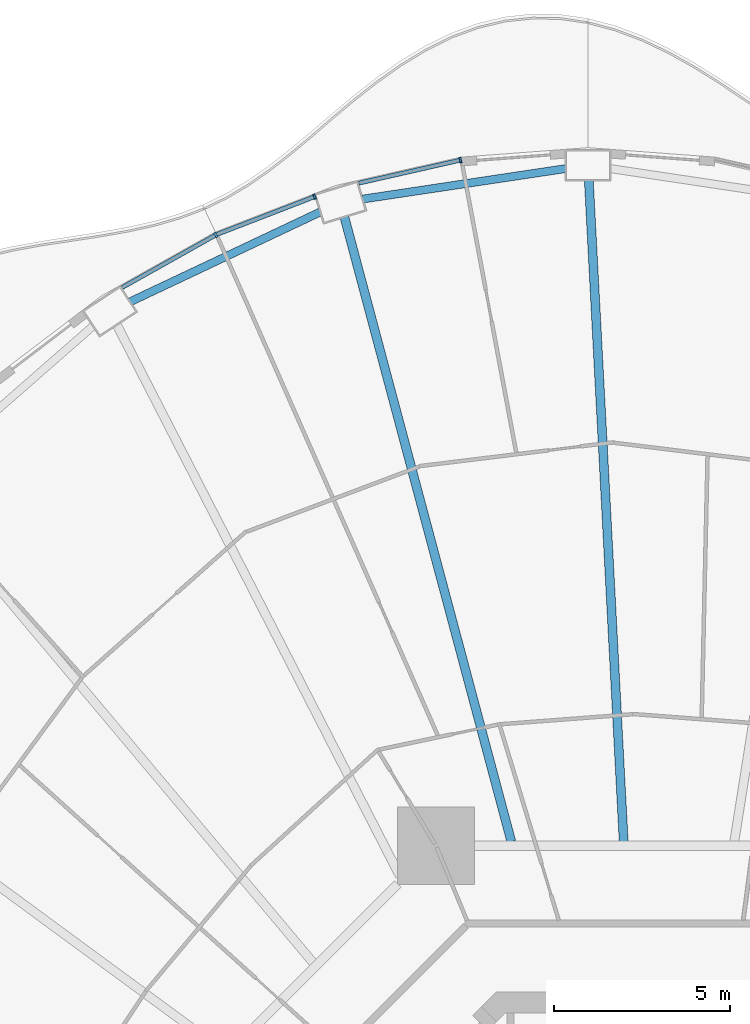
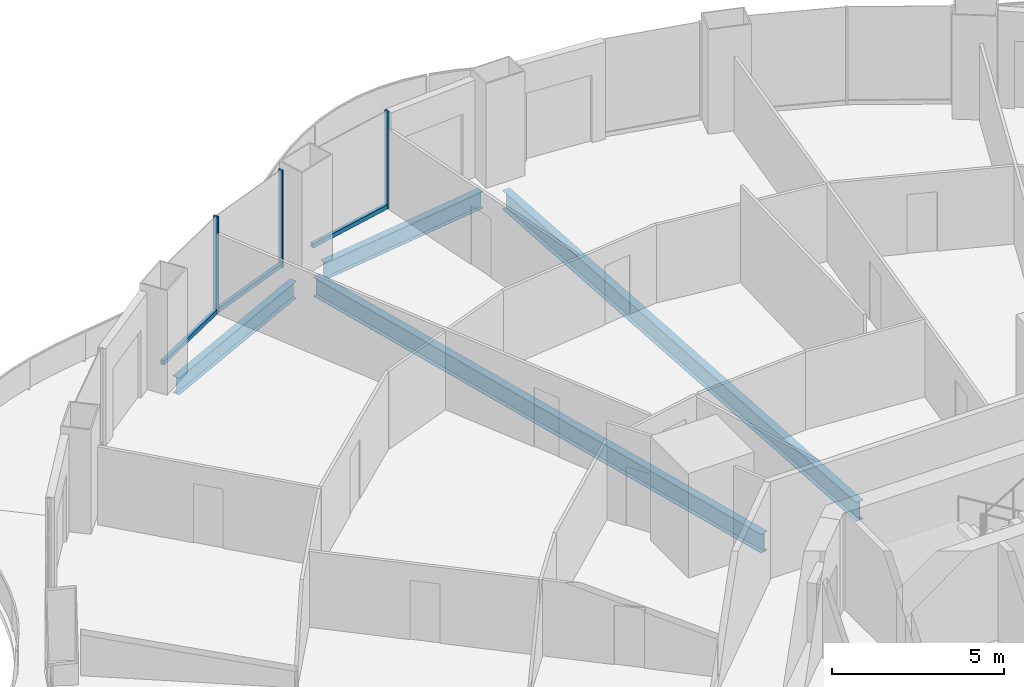
# One storey, part 9 of 22: 6 members, 4 beams, 3 elements without a shape of their own.
"""IFC4 building model written with IfcOpenShell, lengths in metres."""

from ifc_helpers import new_model, si_unit, direction, frame, origin, origin_2d, place, context, subcontext, project, spatial, rectangle, i_section, extrude, material, layer, layer_set, material_profile, profile_set, type_object, element, aggregate, save


model = new_model("IFC4")

# Units and contexts
model_context = context("Model", 3, precision=1e-05, world=origin(), true_north=direction((0.0, 1.0)))
body_context = subcontext(model_context, "Body", "Model", "MODEL_VIEW")
ifc_project = project(units=[si_unit("LENGTHUNIT", "METRE"), si_unit("AREAUNIT", "SQUARE_METRE"), si_unit("VOLUMEUNIT", "CUBIC_METRE"), si_unit("PLANEANGLEUNIT", "RADIAN"), si_unit("MASSUNIT", "GRAM", prefix="KILO")], contexts=[model_context])

# Site, building, storey
site_placement = place(None, origin())
site = spatial("IfcSite", under=ifc_project, at=site_placement, CompositionType="ELEMENT")
building_placement = place(site_placement, origin())
building = spatial("IfcBuilding", under=site, at=building_placement, Name="Nagisa Residences", CompositionType="ELEMENT")
storey_placement = place(building_placement, frame((0.0, 0.0, 80.699951171875)))
storey = spatial("IfcBuildingStorey", under=building, at=storey_placement, Name="L19", CompositionType="ELEMENT", Elevation=80.699951171875)

# Curtain wall, member
ifc_material_1 = material(Name="Concrete-coloured aluminium curtain wall system", Category="concrete")
ifc_layer = layer(ifc_material_1, 0.159912109375)
ifc_layer_set = layer_set([ifc_layer], Name="CW1 CURTAIN WALL")
curtain_wall_type = type_object("IfcCurtainWallType", Name="CW1 CURTAIN WALL", PredefinedType="NOTDEFINED", material=ifc_layer_set)
curtain_wall_1_placement = place(storey_placement, origin())
curtain_wall_1 = element("IfcCurtainWall", 1, at=curtain_wall_1_placement, inside=storey, type_object=curtain_wall_type, Name="cw:CW1:L19:13", PredefinedType="NOTDEFINED")
ifc_material_2 = material(Name="Concrete-coloured aluminium", Category="concrete")
ifc_material_profile_1 = material_profile(ifc_material_2, rectangle(XDim=0.159912109375, YDim=0.06005859375, at=origin_2d()), Name="CW1 MULLION 160x60")
ifc_profile_set_1 = profile_set([ifc_material_profile_1], Name="Concrete-coloured aluminium")
member_type_1 = type_object("IfcMemberType", Name="CW1 MULLION 160x60", PredefinedType="MULLION", material=ifc_profile_set_1)
member_1_placement = place(storey_placement, frame((-5.426513671875, 34.2783203125, 0.0), z_axis=(0.0, 0.0, 1.0), x_axis=(0.2207639201, -0.975327274089, 0.0)))
member_1 = element("IfcMember", 2, at=member_1_placement, type_object=member_type_1, Name="CW1 mullion", PredefinedType="MULLION", context=body_context, shape_type="SweptSolid", body=[
    extrude(rectangle(XDim=0.159912109375, YDim=0.06005859375, at=origin_2d()), origin(), (0.0, 0.0, 1.0), 3.43994140625),
])

curtain_wall_2_placement = place(storey_placement, origin())
curtain_wall_2 = element("IfcCurtainWall", 3, at=curtain_wall_2_placement, inside=storey, type_object=curtain_wall_type, Name="cw:CW1:L19:14", PredefinedType="NOTDEFINED")
member_2_placement = place(storey_placement, frame((-9.573486328125, 33.2392578125, 0.0), z_axis=(0.0, 0.0, 1.0), x_axis=(0.360327770268, -0.932825759707, 0.0)))
member_2 = element("IfcMember", 4, at=member_2_placement, type_object=member_type_1, Name="CW1 mullion", PredefinedType="MULLION", context=body_context, shape_type="SweptSolid", body=[
    extrude(rectangle(XDim=0.159912109375, YDim=0.06005859375, at=origin_2d()), origin(), (0.0, 0.0, 1.0), 3.43994140625),
])

curtain_wall_3_placement = place(storey_placement, origin())
curtain_wall_3 = element("IfcCurtainWall", 5, at=curtain_wall_3_placement, inside=storey, type_object=curtain_wall_type, Name="cw:CW1:L19:15", PredefinedType="NOTDEFINED")
member_3_placement = place(storey_placement, frame((-12.385498046875, 32.1494140625, 0.0), z_axis=(0.0, 0.0, 1.0), x_axis=(0.489376918501, -0.872072377523, 0.0)))
member_3 = element("IfcMember", 6, at=member_3_placement, type_object=member_type_1, Name="CW1 mullion", PredefinedType="MULLION", context=body_context, shape_type="SweptSolid", body=[
    extrude(rectangle(XDim=0.159912109375, YDim=0.06005859375, at=origin_2d()), origin(), (0.0, 0.0, 1.0), 3.43994140625),
])

# Member
ifc_material_3 = material(Name="Concrete-coloured aluminium", Category="concrete")
ifc_material_profile_2 = material_profile(ifc_material_3, rectangle(XDim=0.1201171875, YDim=0.14990234375, at=origin_2d()), Name="CW1 TRANSOM 120x150")
ifc_profile_set_2 = profile_set([ifc_material_profile_2], Name="Concrete-coloured aluminium")
member_type_2 = type_object("IfcMemberType", Name="CW1 TRANSOM 120x150", PredefinedType="USERDEFINED", material=ifc_profile_set_2)
member_4_placement = place(storey_placement, frame((-5.397216796875, 34.28515625, 0.074951171875), z_axis=(-0.975317607872, -0.220806620767, 0.0), x_axis=(0.220806620767, -0.975317607872, 0.0)))
member_4 = element("IfcMember", 7, at=member_4_placement, type_object=member_type_2, Name="CW1 transom", ObjectType="TRANSOM", PredefinedType="USERDEFINED", context=body_context, shape_type="SweptSolid", body=[
    extrude(rectangle(XDim=0.1201171875, YDim=0.14990234375, at=origin_2d()), origin(), (0.0, 0.0, 1.0), 2.9931640625),
])

aggregate(curtain_wall_1, [member_1, member_4])

member_5_placement = place(storey_placement, frame((-9.54541015625, 33.25, 0.074951171875), z_axis=(-0.932837560624, -0.360297218263, 0.0), x_axis=(0.360297218263, -0.932837560624, 0.0)))
member_5 = element("IfcMember", 8, at=member_5_placement, type_object=member_type_2, Name="CW1 transom", ObjectType="TRANSOM", PredefinedType="USERDEFINED", context=body_context, shape_type="SweptSolid", body=[
    extrude(rectangle(XDim=0.1201171875, YDim=0.14990234375, at=origin_2d()), origin(), (0.0, 0.0, 1.0), 3.027587890625),
])

aggregate(curtain_wall_2, [member_2, member_5])

member_6_placement = place(storey_placement, frame((-12.359375, 32.1640625, 0.074951171875), z_axis=(-0.872037280335, -0.489439456631, 0.0), x_axis=(0.489439456631, -0.872037280335, 0.0)))
member_6 = element("IfcMember", 9, at=member_6_placement, type_object=member_type_2, Name="CW1 transom", ObjectType="TRANSOM", PredefinedType="USERDEFINED", context=body_context, shape_type="SweptSolid", body=[
    extrude(rectangle(XDim=0.1201171875, YDim=0.14990234375, at=origin_2d()), origin(), (0.0, 0.0, 1.0), 3.07568359375),
])

aggregate(curtain_wall_3, [member_3, member_6])

# Beams
ifc_material_4 = material(Name="Steel ASTM A572 Gr 50", Category="steel")
ifc_material_profile_3 = material_profile(ifc_material_4, i_section(OverallWidth=0.22802734375, OverallDepth=0.60302734375, WebThickness=0.010498046875, FlangeThickness=0.014892578125, at=origin_2d()), Name="W610x101")
ifc_profile_set_3 = profile_set([ifc_material_profile_3], Name="Steel ASTM A572 Gr 50")
beam_type_1 = type_object("IfcBeamType", Name="Perimeter ring beam W610x101", PredefinedType="BEAM", material=ifc_profile_set_3)
beam_1_placement = place(storey_placement, frame((-2.43017578125, 34.0380859375, -0.5615234375), z_axis=(-0.988913048607, -0.148495731568, 0.0), x_axis=(0.148495731568, -0.988913048607, 0.0)))
element("IfcBeam", 10, at=beam_1_placement, inside=storey, type_object=beam_type_1, Name="beam:L19:pb07", PredefinedType="BEAM", context=body_context, shape_type="SweptSolid", body=[
    extrude(i_section(OverallWidth=0.22802734375, OverallDepth=0.60302734375, WebThickness=0.010498046875, FlangeThickness=0.014892578125, at=origin_2d()), origin(), (0.0, 0.0, 1.0), 5.843017578125),
])
beam_2_placement = place(storey_placement, frame((-9.41455078125, 32.8037109375, -0.5615234375), z_axis=(-0.90418952838, -0.427131474804, 0.0), x_axis=(0.427131474804, -0.90418952838, 0.0)))
element("IfcBeam", 11, at=beam_2_placement, inside=storey, type_object=beam_type_1, Name="beam:L19:pb08", PredefinedType="BEAM", context=body_context, shape_type="SweptSolid", body=[
    extrude(i_section(OverallWidth=0.22802734375, OverallDepth=0.60302734375, WebThickness=0.010498046875, FlangeThickness=0.014892578125, at=origin_2d()), origin(), (0.0, 0.0, 1.0), 5.98046875),
])
ifc_material_5 = material(Name="Steel ASTM A572 Gr 50", Category="steel")
ifc_material_profile_4 = material_profile(ifc_material_5, i_section(OverallWidth=0.2529296875, OverallDepth=0.677978515625, WebThickness=0.01171875, FlangeThickness=0.016357421875, at=origin_2d()), Name="W690x125")
ifc_profile_set_4 = profile_set([ifc_material_profile_4], Name="Steel ASTM A572 Gr 50")
beam_type_2 = type_object("IfcBeamType", Name="Radial beam W690x125", PredefinedType="BEAM", material=ifc_profile_set_4)
beam_3_placement = place(storey_placement, frame((-1.77734375, 33.70263671875, -0.598876953125), z_axis=(0.05266700958, -0.998612129959, 0.0), x_axis=(0.998612129959, 0.05266700958, 0.0)))
element("IfcBeam", 12, at=beam_3_placement, inside=storey, type_object=beam_type_2, Name="beam:L19:rb07", PredefinedType="BEAM", context=body_context, shape_type="SweptSolid", body=[
    extrude(i_section(OverallWidth=0.2529296875, OverallDepth=0.677978515625, WebThickness=0.01171875, FlangeThickness=0.016357421875, at=origin_2d()), origin(), (0.0, 0.0, 1.0), 18.834228515625),
])
beam_4_placement = place(storey_placement, frame((-8.7275390625, 32.66015625, -0.598876953125), z_axis=(0.258170831181, -0.96609928161, 0.0), x_axis=(0.96609928161, 0.258170831181, 0.0)))
element("IfcBeam", 13, at=beam_4_placement, inside=storey, type_object=beam_type_2, Name="beam:L19:rb08", PredefinedType="BEAM", context=body_context, shape_type="SweptSolid", body=[
    extrude(i_section(OverallWidth=0.2529296875, OverallDepth=0.677978515625, WebThickness=0.01171875, FlangeThickness=0.016357421875, at=origin_2d()), origin(), (0.0, 0.0, 1.0), 18.38818359375),
])

save(model, "model.ifc")
